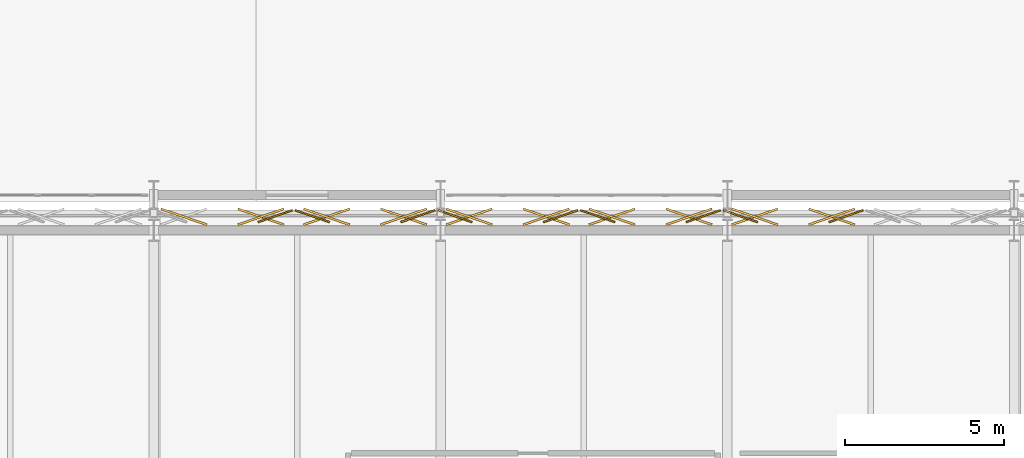
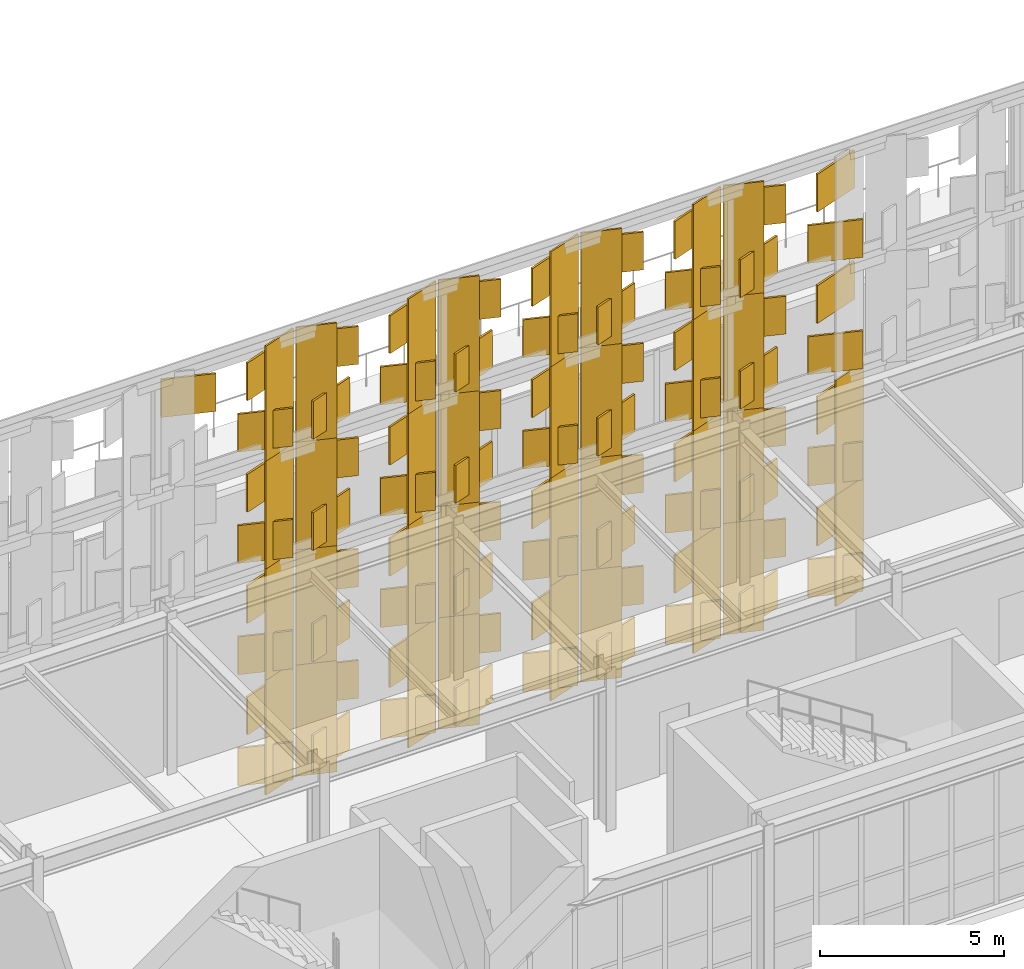
# One storey, part 188 of 210: 107 coverings.
"""IFC4 building model written with IfcOpenShell, lengths in metres."""

from ifc_helpers import new_model, si_unit, direction, frame, origin, origin_2d, place, context, subcontext, project, spatial, rectangle, extrude, material, layer, layer_set, type_object, element, save


model = new_model("IFC4")

# Units and contexts
model_context = context("Model", 3, precision=1e-05, world=origin(), true_north=direction((0.0, 1.0)))
body_context = subcontext(model_context, "Body", "Model", "MODEL_VIEW")
ifc_project = project(units=[si_unit("LENGTHUNIT", "METRE"), si_unit("AREAUNIT", "SQUARE_METRE"), si_unit("VOLUMEUNIT", "CUBIC_METRE"), si_unit("PLANEANGLEUNIT", "RADIAN"), si_unit("MASSUNIT", "GRAM", prefix="KILO")], contexts=[model_context])

# Site, building, storey
site_placement = place(None, origin())
site = spatial("IfcSite", under=ifc_project, at=site_placement, CompositionType="ELEMENT")
building_placement = place(site_placement, origin())
building = spatial("IfcBuilding", under=site, at=building_placement, Name="Kaldris Quays Convention Centre", CompositionType="ELEMENT")
storey_placement = place(building_placement, frame((0.0, 0.0, 6.0)))
storey = spatial("IfcBuildingStorey", under=building, at=storey_placement, Name="L01", CompositionType="ELEMENT", Elevation=6.0)

# Coverings
ifc_material = material(Name="Alabaster white star-pierced anodized aluminium panel", Category="aluminium")
ifc_layer = layer(ifc_material, 0.044921875)
ifc_layer_set = layer_set([ifc_layer], Name="Alabaster white star-pierced anodized aluminium panel")
covering_type = type_object("IfcCoveringType", Name="STAR PIERCED WHITE FOLDED SCREEN CL01", PredefinedType="CLADDING", material=ifc_layer_set)
covering_1_placement = place(storey_placement, frame((104.810546875, 55.340087890625, -2.2099609375), z_axis=(0.0, 0.0, 1.0), x_axis=(0.945518575599, 0.325568154457, 0.0)))
element("IfcCovering", 1, at=covering_1_placement, inside=storey, type_object=covering_type, Name="V1S Folded White Screen Stile 1513", PredefinedType="CLADDING", context=body_context, shape_type="SweptSolid", body=[
    extrude(rectangle(XDim=1.136962890625, YDim=0.054931640625, at=origin_2d()), origin(), (0.0, 0.0, 1.0), 3.820068359375),
])
for number, where, z_axis, x_axis, name in (
    (2, (104.36279296875, 55.320068359375, -1.92822265625), (0.0, 0.0, 1.0), (0.945518575599, -0.325568154457, 0.0), "V1S Carved Star Corner Facet 1516"),
    (3, (104.36279296875, 55.320068359375, 0.06982421875), (0.0, 0.0, 1.0), (0.945518575599, 0.325568154457, 0.0), "V1S Carved Star Corner Facet 1517"),
):
    element("IfcCovering", number, at=place(storey_placement, frame(where, z_axis=z_axis, x_axis=x_axis)), inside=storey, type_object=covering_type, Name=name, PredefinedType="CLADDING", context=body_context, shape_type="SweptSolid", body=[
        extrude(rectangle(XDim=1.52294921875, YDim=0.06494140625, at=origin_2d()), origin(), (0.0, 0.0, 1.0), 1.258056640625),
    ])
covering_2_placement = place(storey_placement, frame((104.810546875, 55.340087890625, 1.48974609375), z_axis=(0.0, 0.0, 1.0), x_axis=(0.945518575599, 0.325568154457, 0.0)))
element("IfcCovering", 4, at=covering_2_placement, inside=storey, type_object=covering_type, Name="V1S Folded White Screen Stile 1519", PredefinedType="CLADDING", context=body_context, shape_type="SweptSolid", body=[
    extrude(rectangle(XDim=1.136962890625, YDim=0.054931640625, at=origin_2d()), origin(), (0.0, 0.0, 1.0), 3.820068359375),
])
for number, where, z_axis, x_axis, name in (
    (5, (104.36279296875, 55.320068359375, 1.77197265625), (0.0, 0.0, 1.0), (0.945518575599, -0.325568154457, 0.0), "V1S Carved Star Corner Facet 1522"),
    (6, (104.36279296875, 55.320068359375, 3.77001953125), (0.0, 0.0, 1.0), (0.945518575599, 0.325568154457, 0.0), "V1S Carved Star Corner Facet 1523"),
):
    element("IfcCovering", number, at=place(storey_placement, frame(where, z_axis=z_axis, x_axis=x_axis)), inside=storey, type_object=covering_type, Name=name, PredefinedType="CLADDING", context=body_context, shape_type="SweptSolid", body=[
        extrude(rectangle(XDim=1.52294921875, YDim=0.06494140625, at=origin_2d()), origin(), (0.0, 0.0, 1.0), 1.258056640625),
    ])
covering_3_placement = place(storey_placement, frame((104.810546875, 55.340087890625, 5.18994140625), z_axis=(0.0, 0.0, 1.0), x_axis=(0.945518575599, 0.325568154457, 0.0)))
element("IfcCovering", 7, at=covering_3_placement, inside=storey, type_object=covering_type, Name="V1S Folded White Screen Stile 1525", PredefinedType="CLADDING", context=body_context, shape_type="SweptSolid", body=[
    extrude(rectangle(XDim=1.136962890625, YDim=0.054931640625, at=origin_2d()), origin(), (0.0, 0.0, 1.0), 3.820068359375),
])
for number, where, z_axis, x_axis, name in (
    (8, (104.36279296875, 55.320068359375, 5.47216796875), (0.0, 0.0, 1.0), (0.945518575599, -0.325568154457, 0.0), "V1S Carved Star Corner Facet 1528"),
    (9, (104.36279296875, 55.320068359375, 7.47021484375), (0.0, 0.0, 1.0), (0.945518575599, 0.325568154457, 0.0), "V1S Carved Star Corner Facet 1529"),
):
    element("IfcCovering", number, at=place(storey_placement, frame(where, z_axis=z_axis, x_axis=x_axis)), inside=storey, type_object=covering_type, Name=name, PredefinedType="CLADDING", context=body_context, shape_type="SweptSolid", body=[
        extrude(rectangle(XDim=1.52294921875, YDim=0.06494140625, at=origin_2d()), origin(), (0.0, 0.0, 1.0), 1.258056640625),
    ])
covering_4_placement = place(storey_placement, frame((104.810546875, 55.340087890625, 8.89013671875), z_axis=(0.0, 0.0, 1.0), x_axis=(0.945518575599, 0.325568154457, 0.0)))
element("IfcCovering", 10, at=covering_4_placement, inside=storey, type_object=covering_type, Name="V1S Folded White Screen Stile 1531", PredefinedType="CLADDING", context=body_context, shape_type="SweptSolid", body=[
    extrude(rectangle(XDim=1.136962890625, YDim=0.054931640625, at=origin_2d()), origin(), (0.0, 0.0, 1.0), 3.820068359375),
])
for number, where, z_axis, x_axis, name in (
    (11, (101.9443359375, 55.320068359375, 11.169921875), (0.0, 0.0, 1.0), (0.945518575599, -0.325568154457, 0.0), "V1S Carved Star Corner Facet 1533"),
    (12, (104.36279296875, 55.320068359375, 9.171875), (0.0, 0.0, 1.0), (0.945518575599, -0.325568154457, 0.0), "V1S Carved Star Corner Facet 1534"),
    (13, (104.36279296875, 55.320068359375, 11.169921875), (0.0, 0.0, 1.0), (0.945518575599, 0.325568154457, 0.0), "V1S Carved Star Corner Facet 1535"),
):
    element("IfcCovering", number, at=place(storey_placement, frame(where, z_axis=z_axis, x_axis=x_axis)), inside=storey, type_object=covering_type, Name=name, PredefinedType="CLADDING", context=body_context, shape_type="SweptSolid", body=[
        extrude(rectangle(XDim=1.52294921875, YDim=0.06494140625, at=origin_2d()), origin(), (0.0, 0.0, 1.0), 1.258056640625),
    ])
for number, where, z_axis, x_axis, name in (
    (14, (105.97509765625, 55.340087890625, -2.2099609375), (0.0, 0.0, 1.0), (0.945518575599, -0.325568154457, 0.0), "V1S Folded White Screen Stile 1536"),
    (15, (109.289306640625, 55.340087890625, -2.2099609375), (0.0, 0.0, 1.0), (0.945518575599, 0.325568154457, 0.0), "V1S Folded White Screen Stile 1537"),
):
    element("IfcCovering", number, at=place(storey_placement, frame(where, z_axis=z_axis, x_axis=x_axis)), inside=storey, type_object=covering_type, Name=name, PredefinedType="CLADDING", context=body_context, shape_type="SweptSolid", body=[
        extrude(rectangle(XDim=1.136962890625, YDim=0.054931640625, at=origin_2d()), origin(), (0.0, 0.0, 1.0), 3.820068359375),
    ])
for number, where, z_axis, x_axis, name in (
    (16, (106.4228515625, 55.320068359375, -1.92822265625), (0.0, 0.0, 1.0), (0.945518575599, 0.325568154457, 0.0), "V1S Carved Star Corner Facet 1538"),
    (17, (106.4228515625, 55.320068359375, 0.06982421875), (0.0, 0.0, 1.0), (0.945518575599, -0.325568154457, 0.0), "V1S Carved Star Corner Facet 1539"),
    (18, (108.84130859375, 55.320068359375, -1.92822265625), (0.0, 0.0, 1.0), (0.945518575599, -0.325568154457, 0.0), "V1S Carved Star Corner Facet 1540"),
    (19, (108.84130859375, 55.320068359375, 0.06982421875), (0.0, 0.0, 1.0), (0.945518575599, 0.325568154457, 0.0), "V1S Carved Star Corner Facet 1541"),
):
    element("IfcCovering", number, at=place(storey_placement, frame(where, z_axis=z_axis, x_axis=x_axis)), inside=storey, type_object=covering_type, Name=name, PredefinedType="CLADDING", context=body_context, shape_type="SweptSolid", body=[
        extrude(rectangle(XDim=1.52294921875, YDim=0.06494140625, at=origin_2d()), origin(), (0.0, 0.0, 1.0), 1.258056640625),
    ])
for number, where, z_axis, x_axis, name in (
    (20, (105.97509765625, 55.340087890625, 1.48974609375), (0.0, 0.0, 1.0), (0.945518575599, -0.325568154457, 0.0), "V1S Folded White Screen Stile 1542"),
    (21, (109.289306640625, 55.340087890625, 1.48974609375), (0.0, 0.0, 1.0), (0.945518575599, 0.325568154457, 0.0), "V1S Folded White Screen Stile 1543"),
):
    element("IfcCovering", number, at=place(storey_placement, frame(where, z_axis=z_axis, x_axis=x_axis)), inside=storey, type_object=covering_type, Name=name, PredefinedType="CLADDING", context=body_context, shape_type="SweptSolid", body=[
        extrude(rectangle(XDim=1.136962890625, YDim=0.054931640625, at=origin_2d()), origin(), (0.0, 0.0, 1.0), 3.820068359375),
    ])
for number, where, z_axis, x_axis, name in (
    (22, (106.4228515625, 55.320068359375, 1.77197265625), (0.0, 0.0, 1.0), (0.945518575599, 0.325568154457, 0.0), "V1S Carved Star Corner Facet 1544"),
    (23, (106.4228515625, 55.320068359375, 3.77001953125), (0.0, 0.0, 1.0), (0.945518575599, -0.325568154457, 0.0), "V1S Carved Star Corner Facet 1545"),
    (24, (108.84130859375, 55.320068359375, 1.77197265625), (0.0, 0.0, 1.0), (0.945518575599, -0.325568154457, 0.0), "V1S Carved Star Corner Facet 1546"),
    (25, (108.84130859375, 55.320068359375, 3.77001953125), (0.0, 0.0, 1.0), (0.945518575599, 0.325568154457, 0.0), "V1S Carved Star Corner Facet 1547"),
):
    element("IfcCovering", number, at=place(storey_placement, frame(where, z_axis=z_axis, x_axis=x_axis)), inside=storey, type_object=covering_type, Name=name, PredefinedType="CLADDING", context=body_context, shape_type="SweptSolid", body=[
        extrude(rectangle(XDim=1.52294921875, YDim=0.06494140625, at=origin_2d()), origin(), (0.0, 0.0, 1.0), 1.258056640625),
    ])
for number, where, z_axis, x_axis, name in (
    (26, (105.97509765625, 55.340087890625, 5.18994140625), (0.0, 0.0, 1.0), (0.945518575599, -0.325568154457, 0.0), "V1S Folded White Screen Stile 1548"),
    (27, (109.289306640625, 55.340087890625, 5.18994140625), (0.0, 0.0, 1.0), (0.945518575599, 0.325568154457, 0.0), "V1S Folded White Screen Stile 1549"),
):
    element("IfcCovering", number, at=place(storey_placement, frame(where, z_axis=z_axis, x_axis=x_axis)), inside=storey, type_object=covering_type, Name=name, PredefinedType="CLADDING", context=body_context, shape_type="SweptSolid", body=[
        extrude(rectangle(XDim=1.136962890625, YDim=0.054931640625, at=origin_2d()), origin(), (0.0, 0.0, 1.0), 3.820068359375),
    ])
for number, where, z_axis, x_axis, name in (
    (28, (106.4228515625, 55.320068359375, 5.47216796875), (0.0, 0.0, 1.0), (0.945518575599, 0.325568154457, 0.0), "V1S Carved Star Corner Facet 1550"),
    (29, (106.4228515625, 55.320068359375, 7.47021484375), (0.0, 0.0, 1.0), (0.945518575599, -0.325568154457, 0.0), "V1S Carved Star Corner Facet 1551"),
    (30, (108.84130859375, 55.320068359375, 5.47216796875), (0.0, 0.0, 1.0), (0.945518575599, -0.325568154457, 0.0), "V1S Carved Star Corner Facet 1552"),
    (31, (108.84130859375, 55.320068359375, 7.47021484375), (0.0, 0.0, 1.0), (0.945518575599, 0.325568154457, 0.0), "V1S Carved Star Corner Facet 1553"),
):
    element("IfcCovering", number, at=place(storey_placement, frame(where, z_axis=z_axis, x_axis=x_axis)), inside=storey, type_object=covering_type, Name=name, PredefinedType="CLADDING", context=body_context, shape_type="SweptSolid", body=[
        extrude(rectangle(XDim=1.52294921875, YDim=0.06494140625, at=origin_2d()), origin(), (0.0, 0.0, 1.0), 1.258056640625),
    ])
for number, where, z_axis, x_axis, name in (
    (32, (105.97509765625, 55.340087890625, 8.89013671875), (0.0, 0.0, 1.0), (0.945518575599, -0.325568154457, 0.0), "V1S Folded White Screen Stile 1554"),
    (33, (109.289306640625, 55.340087890625, 8.89013671875), (0.0, 0.0, 1.0), (0.945518575599, 0.325568154457, 0.0), "V1S Folded White Screen Stile 1555"),
):
    element("IfcCovering", number, at=place(storey_placement, frame(where, z_axis=z_axis, x_axis=x_axis)), inside=storey, type_object=covering_type, Name=name, PredefinedType="CLADDING", context=body_context, shape_type="SweptSolid", body=[
        extrude(rectangle(XDim=1.136962890625, YDim=0.054931640625, at=origin_2d()), origin(), (0.0, 0.0, 1.0), 3.820068359375),
    ])
for number, where, z_axis, x_axis, name in (
    (34, (106.4228515625, 55.320068359375, 9.171875), (0.0, 0.0, 1.0), (0.945518575599, 0.325568154457, 0.0), "V1S Carved Star Corner Facet 1556"),
    (35, (106.4228515625, 55.320068359375, 11.169921875), (0.0, 0.0, 1.0), (0.945518575599, -0.325568154457, 0.0), "V1S Carved Star Corner Facet 1557"),
    (36, (108.84130859375, 55.320068359375, 9.171875), (0.0, 0.0, 1.0), (0.945518575599, -0.325568154457, 0.0), "V1S Carved Star Corner Facet 1558"),
    (37, (108.84130859375, 55.320068359375, 11.169921875), (0.0, 0.0, 1.0), (0.945518575599, 0.325568154457, 0.0), "V1S Carved Star Corner Facet 1559"),
):
    element("IfcCovering", number, at=place(storey_placement, frame(where, z_axis=z_axis, x_axis=x_axis)), inside=storey, type_object=covering_type, Name=name, PredefinedType="CLADDING", context=body_context, shape_type="SweptSolid", body=[
        extrude(rectangle(XDim=1.52294921875, YDim=0.06494140625, at=origin_2d()), origin(), (0.0, 0.0, 1.0), 1.258056640625),
    ])
for number, where, z_axis, x_axis, name in (
    (38, (110.45361328125, 55.340087890625, -2.2099609375), (0.0, 0.0, 1.0), (0.945518575599, -0.325568154457, 0.0), "V1S Folded White Screen Stile 1560"),
    (39, (113.767822265625, 55.340087890625, -2.2099609375), (0.0, 0.0, 1.0), (0.945518575599, 0.325568154457, 0.0), "V1S Folded White Screen Stile 1561"),
):
    element("IfcCovering", number, at=place(storey_placement, frame(where, z_axis=z_axis, x_axis=x_axis)), inside=storey, type_object=covering_type, Name=name, PredefinedType="CLADDING", context=body_context, shape_type="SweptSolid", body=[
        extrude(rectangle(XDim=1.136962890625, YDim=0.054931640625, at=origin_2d()), origin(), (0.0, 0.0, 1.0), 3.820068359375),
    ])
for number, where, z_axis, x_axis, name in (
    (40, (110.901611328125, 55.320068359375, -1.92822265625), (0.0, 0.0, 1.0), (0.945518575599, 0.325568154457, 0.0), "V1S Carved Star Corner Facet 1562"),
    (41, (110.901611328125, 55.320068359375, 0.06982421875), (0.0, 0.0, 1.0), (0.945518575599, -0.325568154457, 0.0), "V1S Carved Star Corner Facet 1563"),
    (42, (113.31982421875, 55.320068359375, -1.92822265625), (0.0, 0.0, 1.0), (0.945518575599, -0.325568154457, 0.0), "V1S Carved Star Corner Facet 1564"),
    (43, (113.31982421875, 55.320068359375, 0.06982421875), (0.0, 0.0, 1.0), (0.945518575599, 0.325568154457, 0.0), "V1S Carved Star Corner Facet 1565"),
):
    element("IfcCovering", number, at=place(storey_placement, frame(where, z_axis=z_axis, x_axis=x_axis)), inside=storey, type_object=covering_type, Name=name, PredefinedType="CLADDING", context=body_context, shape_type="SweptSolid", body=[
        extrude(rectangle(XDim=1.52294921875, YDim=0.06494140625, at=origin_2d()), origin(), (0.0, 0.0, 1.0), 1.258056640625),
    ])
for number, where, z_axis, x_axis, name in (
    (44, (110.45361328125, 55.340087890625, 1.48974609375), (0.0, 0.0, 1.0), (0.945518575599, -0.325568154457, 0.0), "V1S Folded White Screen Stile 1566"),
    (45, (113.767822265625, 55.340087890625, 1.48974609375), (0.0, 0.0, 1.0), (0.945518575599, 0.325568154457, 0.0), "V1S Folded White Screen Stile 1567"),
):
    element("IfcCovering", number, at=place(storey_placement, frame(where, z_axis=z_axis, x_axis=x_axis)), inside=storey, type_object=covering_type, Name=name, PredefinedType="CLADDING", context=body_context, shape_type="SweptSolid", body=[
        extrude(rectangle(XDim=1.136962890625, YDim=0.054931640625, at=origin_2d()), origin(), (0.0, 0.0, 1.0), 3.820068359375),
    ])
for number, where, z_axis, x_axis, name in (
    (46, (110.901611328125, 55.320068359375, 1.77197265625), (0.0, 0.0, 1.0), (0.945518575599, 0.325568154457, 0.0), "V1S Carved Star Corner Facet 1568"),
    (47, (110.901611328125, 55.320068359375, 3.77001953125), (0.0, 0.0, 1.0), (0.945518575599, -0.325568154457, 0.0), "V1S Carved Star Corner Facet 1569"),
    (48, (113.31982421875, 55.320068359375, 1.77197265625), (0.0, 0.0, 1.0), (0.945518575599, -0.325568154457, 0.0), "V1S Carved Star Corner Facet 1570"),
    (49, (113.31982421875, 55.320068359375, 3.77001953125), (0.0, 0.0, 1.0), (0.945518575599, 0.325568154457, 0.0), "V1S Carved Star Corner Facet 1571"),
):
    element("IfcCovering", number, at=place(storey_placement, frame(where, z_axis=z_axis, x_axis=x_axis)), inside=storey, type_object=covering_type, Name=name, PredefinedType="CLADDING", context=body_context, shape_type="SweptSolid", body=[
        extrude(rectangle(XDim=1.52294921875, YDim=0.06494140625, at=origin_2d()), origin(), (0.0, 0.0, 1.0), 1.258056640625),
    ])
for number, where, z_axis, x_axis, name in (
    (50, (110.45361328125, 55.340087890625, 5.18994140625), (0.0, 0.0, 1.0), (0.945518575599, -0.325568154457, 0.0), "V1S Folded White Screen Stile 1572"),
    (51, (113.767822265625, 55.340087890625, 5.18994140625), (0.0, 0.0, 1.0), (0.945518575599, 0.325568154457, 0.0), "V1S Folded White Screen Stile 1573"),
):
    element("IfcCovering", number, at=place(storey_placement, frame(where, z_axis=z_axis, x_axis=x_axis)), inside=storey, type_object=covering_type, Name=name, PredefinedType="CLADDING", context=body_context, shape_type="SweptSolid", body=[
        extrude(rectangle(XDim=1.136962890625, YDim=0.054931640625, at=origin_2d()), origin(), (0.0, 0.0, 1.0), 3.820068359375),
    ])
for number, where, z_axis, x_axis, name in (
    (52, (110.901611328125, 55.320068359375, 5.47216796875), (0.0, 0.0, 1.0), (0.945518575599, 0.325568154457, 0.0), "V1S Carved Star Corner Facet 1574"),
    (53, (110.901611328125, 55.320068359375, 7.47021484375), (0.0, 0.0, 1.0), (0.945518575599, -0.325568154457, 0.0), "V1S Carved Star Corner Facet 1575"),
    (54, (113.31982421875, 55.320068359375, 5.47216796875), (0.0, 0.0, 1.0), (0.945518575599, -0.325568154457, 0.0), "V1S Carved Star Corner Facet 1576"),
    (55, (113.31982421875, 55.320068359375, 7.47021484375), (0.0, 0.0, 1.0), (0.945518575599, 0.325568154457, 0.0), "V1S Carved Star Corner Facet 1577"),
):
    element("IfcCovering", number, at=place(storey_placement, frame(where, z_axis=z_axis, x_axis=x_axis)), inside=storey, type_object=covering_type, Name=name, PredefinedType="CLADDING", context=body_context, shape_type="SweptSolid", body=[
        extrude(rectangle(XDim=1.52294921875, YDim=0.06494140625, at=origin_2d()), origin(), (0.0, 0.0, 1.0), 1.258056640625),
    ])
for number, where, z_axis, x_axis, name in (
    (56, (110.45361328125, 55.340087890625, 8.89013671875), (0.0, 0.0, 1.0), (0.945518575599, -0.325568154457, 0.0), "V1S Folded White Screen Stile 1578"),
    (57, (113.767822265625, 55.340087890625, 8.89013671875), (0.0, 0.0, 1.0), (0.945518575599, 0.325568154457, 0.0), "V1S Folded White Screen Stile 1579"),
):
    element("IfcCovering", number, at=place(storey_placement, frame(where, z_axis=z_axis, x_axis=x_axis)), inside=storey, type_object=covering_type, Name=name, PredefinedType="CLADDING", context=body_context, shape_type="SweptSolid", body=[
        extrude(rectangle(XDim=1.136962890625, YDim=0.054931640625, at=origin_2d()), origin(), (0.0, 0.0, 1.0), 3.820068359375),
    ])
for number, where, z_axis, x_axis, name in (
    (58, (110.901611328125, 55.320068359375, 9.171875), (0.0, 0.0, 1.0), (0.945518575599, 0.325568154457, 0.0), "V1S Carved Star Corner Facet 1580"),
    (59, (110.901611328125, 55.320068359375, 11.169921875), (0.0, 0.0, 1.0), (0.945518575599, -0.325568154457, 0.0), "V1S Carved Star Corner Facet 1581"),
    (60, (113.31982421875, 55.320068359375, 9.171875), (0.0, 0.0, 1.0), (0.945518575599, -0.325568154457, 0.0), "V1S Carved Star Corner Facet 1582"),
    (61, (113.31982421875, 55.320068359375, 11.169921875), (0.0, 0.0, 1.0), (0.945518575599, 0.325568154457, 0.0), "V1S Carved Star Corner Facet 1583"),
):
    element("IfcCovering", number, at=place(storey_placement, frame(where, z_axis=z_axis, x_axis=x_axis)), inside=storey, type_object=covering_type, Name=name, PredefinedType="CLADDING", context=body_context, shape_type="SweptSolid", body=[
        extrude(rectangle(XDim=1.52294921875, YDim=0.06494140625, at=origin_2d()), origin(), (0.0, 0.0, 1.0), 1.258056640625),
    ])
for number, where, z_axis, x_axis, name in (
    (62, (114.93212890625, 55.340087890625, -2.2099609375), (0.0, 0.0, 1.0), (0.945518575599, -0.325568154457, 0.0), "V1S Folded White Screen Stile 1584"),
    (63, (118.246337890625, 55.340087890625, -2.2099609375), (0.0, 0.0, 1.0), (0.945518575599, 0.325568154457, 0.0), "V1S Folded White Screen Stile 1585"),
):
    element("IfcCovering", number, at=place(storey_placement, frame(where, z_axis=z_axis, x_axis=x_axis)), inside=storey, type_object=covering_type, Name=name, PredefinedType="CLADDING", context=body_context, shape_type="SweptSolid", body=[
        extrude(rectangle(XDim=1.136962890625, YDim=0.054931640625, at=origin_2d()), origin(), (0.0, 0.0, 1.0), 3.820068359375),
    ])
for number, where, z_axis, x_axis, name in (
    (64, (115.380126953125, 55.320068359375, -1.92822265625), (0.0, 0.0, 1.0), (0.945518575599, 0.325568154457, 0.0), "V1S Carved Star Corner Facet 1586"),
    (65, (115.380126953125, 55.320068359375, 0.06982421875), (0.0, 0.0, 1.0), (0.945518575599, -0.325568154457, 0.0), "V1S Carved Star Corner Facet 1587"),
    (66, (117.798583984375, 55.320068359375, -1.92822265625), (0.0, 0.0, 1.0), (0.945518575599, -0.325568154457, 0.0), "V1S Carved Star Corner Facet 1588"),
    (67, (117.798583984375, 55.320068359375, 0.06982421875), (0.0, 0.0, 1.0), (0.945518575599, 0.325568154457, 0.0), "V1S Carved Star Corner Facet 1589"),
):
    element("IfcCovering", number, at=place(storey_placement, frame(where, z_axis=z_axis, x_axis=x_axis)), inside=storey, type_object=covering_type, Name=name, PredefinedType="CLADDING", context=body_context, shape_type="SweptSolid", body=[
        extrude(rectangle(XDim=1.52294921875, YDim=0.06494140625, at=origin_2d()), origin(), (0.0, 0.0, 1.0), 1.258056640625),
    ])
for number, where, z_axis, x_axis, name in (
    (68, (114.93212890625, 55.340087890625, 1.48974609375), (0.0, 0.0, 1.0), (0.945518575599, -0.325568154457, 0.0), "V1S Folded White Screen Stile 1590"),
    (69, (118.246337890625, 55.340087890625, 1.48974609375), (0.0, 0.0, 1.0), (0.945518575599, 0.325568154457, 0.0), "V1S Folded White Screen Stile 1591"),
):
    element("IfcCovering", number, at=place(storey_placement, frame(where, z_axis=z_axis, x_axis=x_axis)), inside=storey, type_object=covering_type, Name=name, PredefinedType="CLADDING", context=body_context, shape_type="SweptSolid", body=[
        extrude(rectangle(XDim=1.136962890625, YDim=0.054931640625, at=origin_2d()), origin(), (0.0, 0.0, 1.0), 3.820068359375),
    ])
for number, where, z_axis, x_axis, name in (
    (70, (115.380126953125, 55.320068359375, 1.77197265625), (0.0, 0.0, 1.0), (0.945518575599, 0.325568154457, 0.0), "V1S Carved Star Corner Facet 1592"),
    (71, (115.380126953125, 55.320068359375, 3.77001953125), (0.0, 0.0, 1.0), (0.945518575599, -0.325568154457, 0.0), "V1S Carved Star Corner Facet 1593"),
    (72, (117.798583984375, 55.320068359375, 1.77197265625), (0.0, 0.0, 1.0), (0.945518575599, -0.325568154457, 0.0), "V1S Carved Star Corner Facet 1594"),
    (73, (117.798583984375, 55.320068359375, 3.77001953125), (0.0, 0.0, 1.0), (0.945518575599, 0.325568154457, 0.0), "V1S Carved Star Corner Facet 1595"),
):
    element("IfcCovering", number, at=place(storey_placement, frame(where, z_axis=z_axis, x_axis=x_axis)), inside=storey, type_object=covering_type, Name=name, PredefinedType="CLADDING", context=body_context, shape_type="SweptSolid", body=[
        extrude(rectangle(XDim=1.52294921875, YDim=0.06494140625, at=origin_2d()), origin(), (0.0, 0.0, 1.0), 1.258056640625),
    ])
for number, where, z_axis, x_axis, name in (
    (74, (114.93212890625, 55.340087890625, 5.18994140625), (0.0, 0.0, 1.0), (0.945518575599, -0.325568154457, 0.0), "V1S Folded White Screen Stile 1596"),
    (75, (118.246337890625, 55.340087890625, 5.18994140625), (0.0, 0.0, 1.0), (0.945518575599, 0.325568154457, 0.0), "V1S Folded White Screen Stile 1597"),
):
    element("IfcCovering", number, at=place(storey_placement, frame(where, z_axis=z_axis, x_axis=x_axis)), inside=storey, type_object=covering_type, Name=name, PredefinedType="CLADDING", context=body_context, shape_type="SweptSolid", body=[
        extrude(rectangle(XDim=1.136962890625, YDim=0.054931640625, at=origin_2d()), origin(), (0.0, 0.0, 1.0), 3.820068359375),
    ])
for number, where, z_axis, x_axis, name in (
    (76, (115.380126953125, 55.320068359375, 5.47216796875), (0.0, 0.0, 1.0), (0.945518575599, 0.325568154457, 0.0), "V1S Carved Star Corner Facet 1598"),
    (77, (115.380126953125, 55.320068359375, 7.47021484375), (0.0, 0.0, 1.0), (0.945518575599, -0.325568154457, 0.0), "V1S Carved Star Corner Facet 1599"),
    (78, (117.798583984375, 55.320068359375, 5.47216796875), (0.0, 0.0, 1.0), (0.945518575599, -0.325568154457, 0.0), "V1S Carved Star Corner Facet 1600"),
    (79, (117.798583984375, 55.320068359375, 7.47021484375), (0.0, 0.0, 1.0), (0.945518575599, 0.325568154457, 0.0), "V1S Carved Star Corner Facet 1601"),
):
    element("IfcCovering", number, at=place(storey_placement, frame(where, z_axis=z_axis, x_axis=x_axis)), inside=storey, type_object=covering_type, Name=name, PredefinedType="CLADDING", context=body_context, shape_type="SweptSolid", body=[
        extrude(rectangle(XDim=1.52294921875, YDim=0.06494140625, at=origin_2d()), origin(), (0.0, 0.0, 1.0), 1.258056640625),
    ])
for number, where, z_axis, x_axis, name in (
    (80, (114.93212890625, 55.340087890625, 8.89013671875), (0.0, 0.0, 1.0), (0.945518575599, -0.325568154457, 0.0), "V1S Folded White Screen Stile 1602"),
    (81, (118.246337890625, 55.340087890625, 8.89013671875), (0.0, 0.0, 1.0), (0.945518575599, 0.325568154457, 0.0), "V1S Folded White Screen Stile 1603"),
):
    element("IfcCovering", number, at=place(storey_placement, frame(where, z_axis=z_axis, x_axis=x_axis)), inside=storey, type_object=covering_type, Name=name, PredefinedType="CLADDING", context=body_context, shape_type="SweptSolid", body=[
        extrude(rectangle(XDim=1.136962890625, YDim=0.054931640625, at=origin_2d()), origin(), (0.0, 0.0, 1.0), 3.820068359375),
    ])
for number, where, z_axis, x_axis, name in (
    (82, (115.380126953125, 55.320068359375, 9.171875), (0.0, 0.0, 1.0), (0.945518575599, 0.325568154457, 0.0), "V1S Carved Star Corner Facet 1604"),
    (83, (115.380126953125, 55.320068359375, 11.169921875), (0.0, 0.0, 1.0), (0.945518575599, -0.325568154457, 0.0), "V1S Carved Star Corner Facet 1605"),
    (84, (117.798583984375, 55.320068359375, 9.171875), (0.0, 0.0, 1.0), (0.945518575599, -0.325568154457, 0.0), "V1S Carved Star Corner Facet 1606"),
    (85, (117.798583984375, 55.320068359375, 11.169921875), (0.0, 0.0, 1.0), (0.945518575599, 0.325568154457, 0.0), "V1S Carved Star Corner Facet 1607"),
):
    element("IfcCovering", number, at=place(storey_placement, frame(where, z_axis=z_axis, x_axis=x_axis)), inside=storey, type_object=covering_type, Name=name, PredefinedType="CLADDING", context=body_context, shape_type="SweptSolid", body=[
        extrude(rectangle(XDim=1.52294921875, YDim=0.06494140625, at=origin_2d()), origin(), (0.0, 0.0, 1.0), 1.258056640625),
    ])
for number, where, z_axis, x_axis, name in (
    (86, (119.410888671875, 55.340087890625, -2.2099609375), (0.0, 0.0, 1.0), (0.945518575599, -0.325568154457, 0.0), "V1S Folded White Screen Stile 1608"),
    (87, (122.724853515625, 55.340087890625, -2.2099609375), (0.0, 0.0, 1.0), (0.945518575599, 0.325568154457, 0.0), "V1S Folded White Screen Stile 1609"),
):
    element("IfcCovering", number, at=place(storey_placement, frame(where, z_axis=z_axis, x_axis=x_axis)), inside=storey, type_object=covering_type, Name=name, PredefinedType="CLADDING", context=body_context, shape_type="SweptSolid", body=[
        extrude(rectangle(XDim=1.136962890625, YDim=0.054931640625, at=origin_2d()), origin(), (0.0, 0.0, 1.0), 3.820068359375),
    ])
for number, where, z_axis, x_axis, name in (
    (88, (119.858642578125, 55.320068359375, -1.92822265625), (0.0, 0.0, 1.0), (0.945518575599, 0.325568154457, 0.0), "V1S Carved Star Corner Facet 1610"),
    (89, (119.858642578125, 55.320068359375, 0.06982421875), (0.0, 0.0, 1.0), (0.945518575599, -0.325568154457, 0.0), "V1S Carved Star Corner Facet 1611"),
    (90, (122.277099609375, 55.320068359375, -1.92822265625), (0.0, 0.0, 1.0), (0.945518575599, -0.325568154457, 0.0), "V1S Carved Star Corner Facet 1612"),
    (91, (122.277099609375, 55.320068359375, 0.06982421875), (0.0, 0.0, 1.0), (0.945518575599, 0.325568154457, 0.0), "V1S Carved Star Corner Facet 1613"),
):
    element("IfcCovering", number, at=place(storey_placement, frame(where, z_axis=z_axis, x_axis=x_axis)), inside=storey, type_object=covering_type, Name=name, PredefinedType="CLADDING", context=body_context, shape_type="SweptSolid", body=[
        extrude(rectangle(XDim=1.52294921875, YDim=0.06494140625, at=origin_2d()), origin(), (0.0, 0.0, 1.0), 1.258056640625),
    ])
for number, where, z_axis, x_axis, name in (
    (92, (119.410888671875, 55.340087890625, 1.48974609375), (0.0, 0.0, 1.0), (0.945518575599, -0.325568154457, 0.0), "V1S Folded White Screen Stile 1614"),
    (93, (122.724853515625, 55.340087890625, 1.48974609375), (0.0, 0.0, 1.0), (0.945518575599, 0.325568154457, 0.0), "V1S Folded White Screen Stile 1615"),
):
    element("IfcCovering", number, at=place(storey_placement, frame(where, z_axis=z_axis, x_axis=x_axis)), inside=storey, type_object=covering_type, Name=name, PredefinedType="CLADDING", context=body_context, shape_type="SweptSolid", body=[
        extrude(rectangle(XDim=1.136962890625, YDim=0.054931640625, at=origin_2d()), origin(), (0.0, 0.0, 1.0), 3.820068359375),
    ])
for number, where, z_axis, x_axis, name in (
    (94, (119.858642578125, 55.320068359375, 1.77197265625), (0.0, 0.0, 1.0), (0.945518575599, 0.325568154457, 0.0), "V1S Carved Star Corner Facet 1616"),
    (95, (119.858642578125, 55.320068359375, 3.77001953125), (0.0, 0.0, 1.0), (0.945518575599, -0.325568154457, 0.0), "V1S Carved Star Corner Facet 1617"),
    (96, (122.277099609375, 55.320068359375, 1.77197265625), (0.0, 0.0, 1.0), (0.945518575599, -0.325568154457, 0.0), "V1S Carved Star Corner Facet 1618"),
    (97, (122.277099609375, 55.320068359375, 3.77001953125), (0.0, 0.0, 1.0), (0.945518575599, 0.325568154457, 0.0), "V1S Carved Star Corner Facet 1619"),
):
    element("IfcCovering", number, at=place(storey_placement, frame(where, z_axis=z_axis, x_axis=x_axis)), inside=storey, type_object=covering_type, Name=name, PredefinedType="CLADDING", context=body_context, shape_type="SweptSolid", body=[
        extrude(rectangle(XDim=1.52294921875, YDim=0.06494140625, at=origin_2d()), origin(), (0.0, 0.0, 1.0), 1.258056640625),
    ])
covering_5_placement = place(storey_placement, frame((119.410888671875, 55.340087890625, 5.18994140625), z_axis=(0.0, 0.0, 1.0), x_axis=(0.945518575599, -0.325568154457, 0.0)))
element("IfcCovering", 98, at=covering_5_placement, inside=storey, type_object=covering_type, Name="V1S Folded White Screen Stile 1620", PredefinedType="CLADDING", context=body_context, shape_type="SweptSolid", body=[
    extrude(rectangle(XDim=1.136962890625, YDim=0.054931640625, at=origin_2d()), origin(), (0.0, 0.0, 1.0), 3.820068359375),
])
for number, where, z_axis, x_axis, name in (
    (99, (119.858642578125, 55.320068359375, 5.47216796875), (0.0, 0.0, 1.0), (0.945518575599, 0.325568154457, 0.0), "V1S Carved Star Corner Facet 1622"),
    (100, (119.858642578125, 55.320068359375, 7.47021484375), (0.0, 0.0, 1.0), (0.945518575599, -0.325568154457, 0.0), "V1S Carved Star Corner Facet 1623"),
    (101, (122.277099609375, 55.320068359375, 5.47216796875), (0.0, 0.0, 1.0), (0.945518575599, -0.325568154457, 0.0), "V1S Carved Star Corner Facet 1624"),
    (102, (122.277099609375, 55.320068359375, 7.47021484375), (0.0, 0.0, 1.0), (0.945518575599, 0.325568154457, 0.0), "V1S Carved Star Corner Facet 1625"),
):
    element("IfcCovering", number, at=place(storey_placement, frame(where, z_axis=z_axis, x_axis=x_axis)), inside=storey, type_object=covering_type, Name=name, PredefinedType="CLADDING", context=body_context, shape_type="SweptSolid", body=[
        extrude(rectangle(XDim=1.52294921875, YDim=0.06494140625, at=origin_2d()), origin(), (0.0, 0.0, 1.0), 1.258056640625),
    ])
covering_6_placement = place(storey_placement, frame((119.410888671875, 55.340087890625, 8.89013671875), z_axis=(0.0, 0.0, 1.0), x_axis=(0.945518575599, -0.325568154457, 0.0)))
element("IfcCovering", 103, at=covering_6_placement, inside=storey, type_object=covering_type, Name="V1S Folded White Screen Stile 1626", PredefinedType="CLADDING", context=body_context, shape_type="SweptSolid", body=[
    extrude(rectangle(XDim=1.136962890625, YDim=0.054931640625, at=origin_2d()), origin(), (0.0, 0.0, 1.0), 3.820068359375),
])
for number, where, z_axis, x_axis, name in (
    (104, (119.858642578125, 55.320068359375, 9.171875), (0.0, 0.0, 1.0), (0.945518575599, 0.325568154457, 0.0), "V1S Carved Star Corner Facet 1628"),
    (105, (119.858642578125, 55.320068359375, 11.169921875), (0.0, 0.0, 1.0), (0.945518575599, -0.325568154457, 0.0), "V1S Carved Star Corner Facet 1629"),
    (106, (122.277099609375, 55.320068359375, 9.171875), (0.0, 0.0, 1.0), (0.945518575599, -0.325568154457, 0.0), "V1S Carved Star Corner Facet 1630"),
    (107, (122.277099609375, 55.320068359375, 11.169921875), (0.0, 0.0, 1.0), (0.945518575599, 0.325568154457, 0.0), "V1S Carved Star Corner Facet 1631"),
):
    element("IfcCovering", number, at=place(storey_placement, frame(where, z_axis=z_axis, x_axis=x_axis)), inside=storey, type_object=covering_type, Name=name, PredefinedType="CLADDING", context=body_context, shape_type="SweptSolid", body=[
        extrude(rectangle(XDim=1.52294921875, YDim=0.06494140625, at=origin_2d()), origin(), (0.0, 0.0, 1.0), 1.258056640625),
    ])

save(model, "model.ifc")
